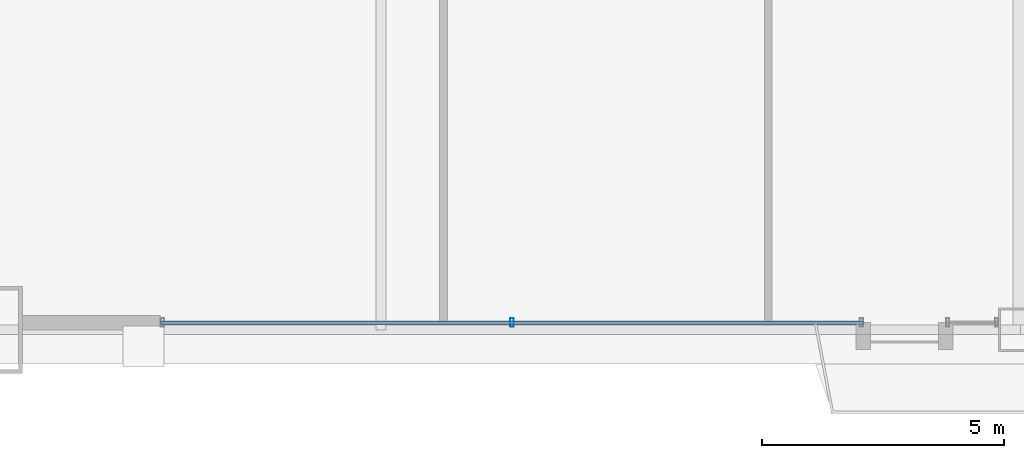
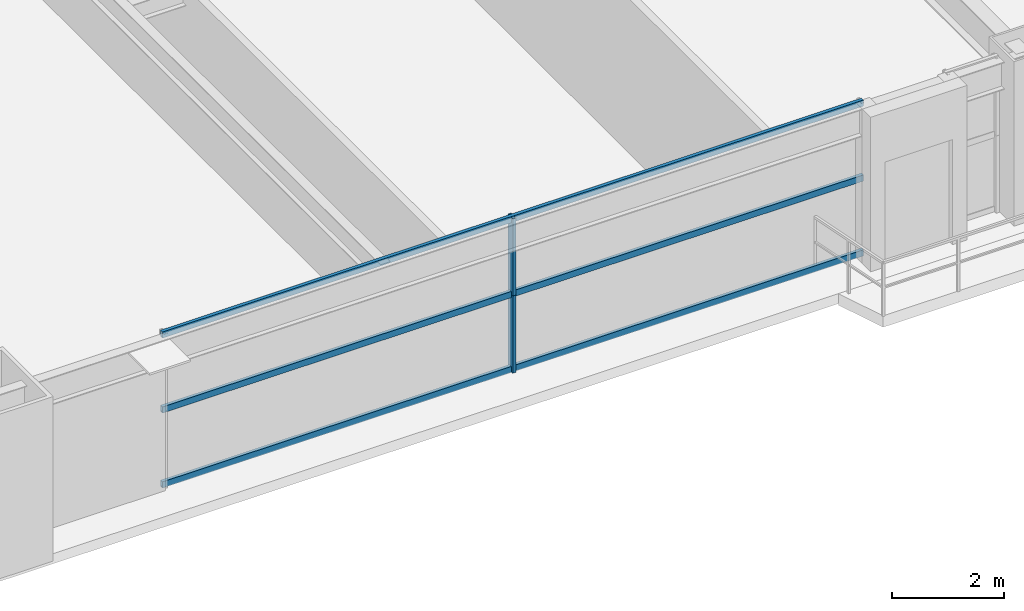
# One storey, part 5 of 45: 5 members, 1 element without a shape of its own.
"""IFC4 building model written with IfcOpenShell, lengths in metres."""

import ifcopenshell
import ifcopenshell.guid

model = None  # the IFC model being written
_history = None  # IfcOwnerHistory: only IFC2X3 demands one
_inside = {}  # id of a spatial element -> (the spatial element, [elements in it])
_under = {}  # id of a project, library or spatial element -> (it, [spatial elements below it])
_declared = {}  # id of a project -> (the project, [libraries it declares])
_typed = {}  # id of a type object -> (the type object, [elements of that type])
_made_of = {}  # id of a material, layer set ... -> (it, [elements and type objects made of it])


def new_model(schema):
    """Start an empty IFC model of exactly this schema.

    Asked for "IFC4X3", IfcOpenShell would pick the latest addendum, in which some entities
    have other attributes; the version numbers below select the first issue.
    IFC2X3 requires an IfcOwnerHistory on every rooted entity: one is made here for all.
    """
    global model, _history
    if schema == "IFC4X3":
        model = ifcopenshell.file(schema_version=(4, 3, 0, 0))
    else:
        model = ifcopenshell.file(schema=schema)
    _inside.clear()
    _under.clear()
    _declared.clear()
    _typed.clear()
    _made_of.clear()
    _history = None
    if model.schema == "IFC2X3":
        org = make("IfcOrganization", Name="unknown")
        user = make(
            "IfcPersonAndOrganization",
            ThePerson=make("IfcPerson", FamilyName="unknown"),
            TheOrganization=org,
        )
        app = make(
            "IfcApplication",
            ApplicationDeveloper=org,
            Version="unknown",
            ApplicationFullName="unknown",
            ApplicationIdentifier="unknown",
        )
        _history = make(
            "IfcOwnerHistory",
            OwningUser=user,
            OwningApplication=app,
            ChangeAction="ADDED",
            CreationDate=0,
        )
    return model


def make(cls, **values):
    """One entity of the class cls with the attributes given. An attribute that is None is left unset."""
    return model.create_entity(
        cls, **{name: value for name, value in values.items() if value is not None}
    )


def rooted(cls, **values):
    """An entity with a GlobalId (a new one), such as an element, a storey or a relation."""
    return make(cls, GlobalId=ifcopenshell.guid.new(), OwnerHistory=_history, **values)


def si_unit(unit_type, name, prefix=None):
    """IfcSIUnit, for example si_unit("LENGTHUNIT", "METRE", prefix="MILLI")."""
    return make("IfcSIUnit", UnitType=unit_type, Prefix=prefix, Name=name)


def assignment(units):
    """IfcUnitAssignment: the units of a project."""
    return None if units is None else make("IfcUnitAssignment", Units=units)


def point(xyz):
    """IfcCartesianPoint."""
    return None if xyz is None else make("IfcCartesianPoint", Coordinates=xyz)


def direction(xyz):
    """IfcDirection."""
    return None if xyz is None else make("IfcDirection", DirectionRatios=xyz)


def frame(location, z_axis=None, x_axis=None):
    """IfcAxis2Placement3D, a coordinate frame: its origin and axes. An axis left out is left unset."""
    return make(
        "IfcAxis2Placement3D",
        Location=point(location),
        Axis=direction(z_axis),
        RefDirection=direction(x_axis),
    )


def frame_2d(location, x_axis=None):
    """IfcAxis2Placement2D, a coordinate frame in the plane: its origin and x axis."""
    return make(
        "IfcAxis2Placement2D", Location=point(location), RefDirection=direction(x_axis)
    )


def origin():
    """The frame at (0, 0, 0) with its axes left unset."""
    return frame((0.0, 0.0, 0.0))


def origin_2d():
    """The frame at (0, 0) in the plane with its x axis left unset."""
    return frame_2d((0.0, 0.0))


def place(relative_to, where):
    """IfcLocalPlacement: puts the frame where relative to a parent placement (None: the world)."""
    return make(
        "IfcLocalPlacement", PlacementRelTo=relative_to, RelativePlacement=where
    )


def context(
    kind, dimensions, precision=None, world=None, true_north=None, identifier=None
):
    """IfcGeometricRepresentationContext, for example the 3D "Model" context."""
    return make(
        "IfcGeometricRepresentationContext",
        ContextIdentifier=identifier,
        ContextType=kind,
        CoordinateSpaceDimension=dimensions,
        Precision=precision,
        WorldCoordinateSystem=world,
        TrueNorth=true_north,
    )


def subcontext(parent, identifier, kind, view, scale=None):
    """IfcGeometricRepresentationSubContext, for example "Body" below "Model"."""
    return make(
        "IfcGeometricRepresentationSubContext",
        ContextIdentifier=identifier,
        ContextType=kind,
        ParentContext=parent,
        TargetScale=scale,
        TargetView=view,
    )


def project(units=None, contexts=None):
    """IfcProject with its units and contexts."""
    return rooted(
        "IfcProject",
        Name="project",
        RepresentationContexts=contexts,
        UnitsInContext=assignment(units),
    )


def spatial(cls, under=None, at=None, **own):
    """A site, building, storey or space (cls), placed at a placement, below another one or the project."""
    s = rooted(cls, ObjectPlacement=at, **own)
    if under is not None:
        _under.setdefault(under.id(), (under, []))[1].append(s)
    return s


def profile(cls, at=None, kind="AREA", **sizes):
    """A parametric profile (cls). Its sizes go by their IFC names, for example OverallWidth=200.0."""
    return make(cls, ProfileType=kind, Position=at, **sizes)


def hollow_rectangle(**sizes):
    """IfcRectangleHollowProfileDef."""
    return profile("IfcRectangleHollowProfileDef", **sizes)


def extrude(swept, where, along, depth):
    """IfcExtrudedAreaSolid: the profile swept, set in the frame where, extruded along a direction by depth."""
    return make(
        "IfcExtrudedAreaSolid",
        SweptArea=swept,
        Position=where,
        ExtrudedDirection=direction(along),
        Depth=depth,
    )


def shape(context_of_items, identifier, shape_type, items):
    """IfcShapeRepresentation: the items that make up one representation, for example the "Body"."""
    return make(
        "IfcShapeRepresentation",
        ContextOfItems=context_of_items,
        RepresentationIdentifier=identifier,
        RepresentationType=shape_type,
        Items=items,
    )


def source(mapping_origin, context_of_items, identifier, shape_type, items):
    """IfcRepresentationMap: a shape defined once, which mapped items show again and again."""
    return make(
        "IfcRepresentationMap",
        MappingOrigin=mapping_origin,
        MappedRepresentation=shape(context_of_items, identifier, shape_type, items),
    )


def transform(
    local_origin,
    x_axis=None,
    y_axis=None,
    z_axis=None,
    scale=None,
    scale2=None,
    scale3=None,
    uniform=True,
):
    """IfcCartesianTransformationOperator3D, or its non-uniform kind. x_axis, y_axis, z_axis: its Axis1, 2, 3."""
    if uniform:
        return make(
            "IfcCartesianTransformationOperator3D",
            Axis1=direction(x_axis),
            Axis2=direction(y_axis),
            LocalOrigin=point(local_origin),
            Scale=scale,
            Axis3=direction(z_axis),
        )
    return make(
        "IfcCartesianTransformationOperator3DnonUniform",
        Axis1=direction(x_axis),
        Axis2=direction(y_axis),
        LocalOrigin=point(local_origin),
        Scale=scale,
        Axis3=direction(z_axis),
        Scale2=scale2,
        Scale3=scale3,
    )


def mapped(mapping_source, mapping_target):
    """IfcMappedItem: shows the shape of a source again, moved by a transform."""
    return make(
        "IfcMappedItem", MappingSource=mapping_source, MappingTarget=mapping_target
    )


def material(Name=None, Category=None):
    """IfcMaterial."""
    return make("IfcMaterial", Name=Name, Category=Category)


def layer(
    of_material, thickness, ventilated=None, Name=None, Category=None, Priority=None
):
    """IfcMaterialLayer: one layer of a wall or slab, of a material (None: an air gap)."""
    return make(
        "IfcMaterialLayer",
        Material=of_material,
        LayerThickness=thickness,
        IsVentilated=ventilated,
        Name=Name,
        Category=Category,
        Priority=Priority,
    )


def layer_set(layers, Name=None):
    """IfcMaterialLayerSet."""
    return make("IfcMaterialLayerSet", MaterialLayers=layers, LayerSetName=Name)


def material_profile(
    of_material, cross_section, Name=None, Category=None, Priority=None
):
    """IfcMaterialProfile: a cross section and its material."""
    return make(
        "IfcMaterialProfile",
        Name=Name,
        Material=of_material,
        Profile=cross_section,
        Priority=Priority,
        Category=Category,
    )


def profile_set(profiles, Name=None, composite=None):
    """IfcMaterialProfileSet."""
    return make(
        "IfcMaterialProfileSet",
        Name=Name,
        MaterialProfiles=profiles,
        CompositeProfile=composite,
    )


def made_of(thing, what):
    """Note that an element or type object is made of a material, layer set ...; save() writes the relation."""
    if what is not None:
        _made_of.setdefault(what.id(), (what, []))[1].append(thing)
    return thing


def type_object(cls, material=None, **own):
    """A type object (cls), such as IfcWallType, which elements share."""
    return made_of(rooted(cls, **own), material)


def element(
    cls,
    number,
    at=None,
    inside=None,
    cuts=None,
    type_object=None,
    material=None,
    context=None,
    identifier="Body",
    shape_type=None,
    held_by="IfcProductDefinitionShape",
    body=None,
    shapes=None,
    **own,
):
    """One element of the class cls, such as IfcWall. Its Tag is "e" and its number.

    at: its placement. inside: the storey or other place that contains it. cuts: it is an
    opening in that element (IfcRelVoidsElement). A single representation is given by context,
    identifier, shape_type and body (its items); several are given by shapes. held_by: the class
    of the entity that holds the representations. save() writes the other relations.
    """
    e = rooted(cls, Tag="e%d" % number, ObjectPlacement=at, **own)
    if body is not None:
        shapes = [shape(context, identifier, shape_type, body)]
    if shapes is not None:
        e.Representation = make(held_by, Representations=shapes)
    if inside is not None:
        _inside.setdefault(inside.id(), (inside, []))[1].append(e)
    if cuts is not None:
        rooted(
            "IfcRelVoidsElement", RelatingBuildingElement=cuts, RelatedOpeningElement=e
        )
    if type_object is not None:
        _typed.setdefault(type_object.id(), (type_object, []))[1].append(e)
    return made_of(e, material)


def aggregate(whole, parts):
    """IfcRelAggregates: a whole, such as a stair, and the parts it consists of."""
    return rooted("IfcRelAggregates", RelatingObject=whole, RelatedObjects=parts)


def save(model, path):
    """Write the relations noted so far, then the file.

    IfcRelAggregates (storeys below a building ...), IfcRelContainedInSpatialStructure (elements
    in a storey), IfcRelDefinesByType, IfcRelAssociatesMaterial and IfcRelDeclares: one each for
    every whole, place, type object, material and project.
    """
    for whole, parts in _under.values():
        aggregate(whole, parts)
    for where, things in _inside.values():
        rooted(
            "IfcRelContainedInSpatialStructure",
            RelatedElements=things,
            RelatingStructure=where,
        )
    for kind, things in _typed.values():
        rooted("IfcRelDefinesByType", RelatedObjects=things, RelatingType=kind)
    for what, things in _made_of.values():
        rooted("IfcRelAssociatesMaterial", RelatedObjects=things, RelatingMaterial=what)
    for by, libraries in _declared.values():
        rooted("IfcRelDeclares", RelatingContext=by, RelatedDefinitions=libraries)
    model.write(path)


model = new_model("IFC4")

# Units and contexts
model_context = context("Model", 3, precision=1e-05, world=origin(), true_north=direction((0.0, 1.0)))
body_context = subcontext(model_context, "Body", "Model", "MODEL_VIEW")
ifc_project = project(units=[si_unit("LENGTHUNIT", "METRE"), si_unit("AREAUNIT", "SQUARE_METRE"), si_unit("VOLUMEUNIT", "CUBIC_METRE"), si_unit("PLANEANGLEUNIT", "RADIAN"), si_unit("MASSUNIT", "GRAM", prefix="KILO"), si_unit("THERMODYNAMICTEMPERATUREUNIT", "KELVIN"), si_unit("POWERUNIT", "WATT")], contexts=[model_context])

# Site, building, storey
site_placement = place(None, origin())
site = spatial("IfcSite", under=ifc_project, at=site_placement, CompositionType="ELEMENT")
building_placement = place(site_placement, origin())
building = spatial("IfcBuilding", under=site, at=building_placement, Name="Yuzanri Waterfront Tower", CompositionType="ELEMENT")
storey_placement = place(building_placement, frame((0.0, 0.0, 49.60009765625)))
storey = spatial("IfcBuildingStorey", under=building, at=storey_placement, Name="L12", CompositionType="ELEMENT", Elevation=49.60009765625)

# Curtain wall, members
ifc_material_1 = material(Name="Anodized Architectural Bronze", Category="metal")
ifc_layer = layer(ifc_material_1, 0.159912109375)
ifc_layer_set = layer_set([ifc_layer], Name="Anodized Architectural Bronze")
curtain_wall_type = type_object("IfcCurtainWallType", Name="Anodized Bronze Hotel Lower-Tier Recessed Unitized Curtain Wall 8100", PredefinedType="NOTDEFINED", material=ifc_layer_set)
curtain_wall_placement = place(storey_placement, origin())
curtain_wall = element("IfcCurtainWall", 1, at=curtain_wall_placement, inside=storey, type_object=curtain_wall_type, Name="L12 Curtain Wall CW-L12-SL1", PredefinedType="NOTDEFINED")
ifc_material_2 = material(Name="Anodized Architectural Bronze", Category="metal")
ifc_material_profile_1 = material_profile(ifc_material_2, hollow_rectangle(XDim=0.070068359375, YDim=0.179931640625, WallThickness=0.00390625, at=origin_2d()), Name="CWM 70x180")
ifc_profile_set_1 = profile_set([ifc_material_profile_1], Name="Anodized Architectural Bronze")
member_type_1 = type_object("IfcMemberType", Name="Anodized Bronze Standard Curtain-Wall Mullion 70x180", PredefinedType="MULLION", material=ifc_profile_set_1)
shared_shape_1 = source(origin(), body_context, "Body", "SweptSolid", [
    extrude(hollow_rectangle(XDim=0.070068359375, YDim=0.179931640625, WallThickness=0.00390625, at=origin_2d()), origin(), (0.0, 0.0, 1.0), 1.68798828125),
])
member_1_placement = place(storey_placement, frame((26.50390625, 0.85009765625, 0.0), z_axis=(0.0, 0.0, 1.0), x_axis=(1.0, 0.0, 0.0)))
member_1 = element("IfcMember", 2, at=member_1_placement, type_object=member_type_1, Name="CW-L12-SL1 Lower Mullion 01", PredefinedType="MULLION", context=body_context, shape_type="MappedRepresentation", body=[
    mapped(shared_shape_1, transform((0.0, 0.0, 0.0), scale=1.0)),
])
member_2_placement = place(storey_placement, frame((26.50390625, 0.85009765625, 1.69189453125), z_axis=(0.0, 0.0, 1.0), x_axis=(1.0, 0.0, 0.0)))
member_2 = element("IfcMember", 3, at=member_2_placement, type_object=member_type_1, Name="CW-L12-SL1 Upper Mullion 01", PredefinedType="MULLION", context=body_context, shape_type="MappedRepresentation", body=[
    mapped(shared_shape_1, transform((0.0, 0.0, 0.0), scale=1.0)),
])
ifc_material_3 = material(Name="Anodized Architectural Bronze", Category="metal")
ifc_material_profile_2 = material_profile(ifc_material_3, hollow_rectangle(XDim=0.070068359375, YDim=0.135009765625, WallThickness=0.00341796875, at=origin_2d()), Name="CWT 70x135")
ifc_profile_set_2 = profile_set([ifc_material_profile_2], Name="Anodized Architectural Bronze")
member_type_2 = type_object("IfcMemberType", Name="Anodized Bronze Standard Curtain-Wall Transom 70x135", PredefinedType="USERDEFINED", material=ifc_profile_set_2)
shared_shape_2 = source(origin(), body_context, "Body", "SweptSolid", [
    extrude(hollow_rectangle(XDim=0.070068359375, YDim=0.135009765625, WallThickness=0.00341796875, at=origin_2d()), origin(), (0.0, 0.0, 1.0), 14.508056640625),
])
member_3_placement = place(storey_placement, frame((19.25, 0.85009765625, 0.0498046875), z_axis=(1.0, 0.0, 0.0), x_axis=(0.0, 1.0, 0.0)))
member_3 = element("IfcMember", 4, at=member_3_placement, type_object=member_type_2, Name="CW-L12-SL1 Transom 1", ObjectType="TRANSOM", PredefinedType="USERDEFINED", context=body_context, shape_type="MappedRepresentation", body=[
    mapped(shared_shape_2, transform((0.0, 0.0, 0.0), scale=1.0)),
])
member_4_placement = place(storey_placement, frame((19.25, 0.85009765625, 1.68994140625), z_axis=(1.0, 0.0, 0.0), x_axis=(0.0, 1.0, 0.0)))
member_4 = element("IfcMember", 5, at=member_4_placement, type_object=member_type_2, Name="CW-L12-SL1 Transom 2", ObjectType="TRANSOM", PredefinedType="USERDEFINED", context=body_context, shape_type="MappedRepresentation", body=[
    mapped(shared_shape_2, transform((0.0, 0.0, 0.0), scale=1.0)),
])
member_5_placement = place(storey_placement, frame((19.25, 0.85009765625, 3.329833984375), z_axis=(1.0, 0.0, 0.0), x_axis=(0.0, 1.0, 0.0)))
member_5 = element("IfcMember", 6, at=member_5_placement, type_object=member_type_2, Name="CW-L12-SL1 Transom 3", ObjectType="TRANSOM", PredefinedType="USERDEFINED", context=body_context, shape_type="MappedRepresentation", body=[
    mapped(shared_shape_2, transform((0.0, 0.0, 0.0), scale=1.0)),
])
aggregate(curtain_wall, [member_1, member_2, member_3, member_4, member_5])

save(model, "model.ifc")
